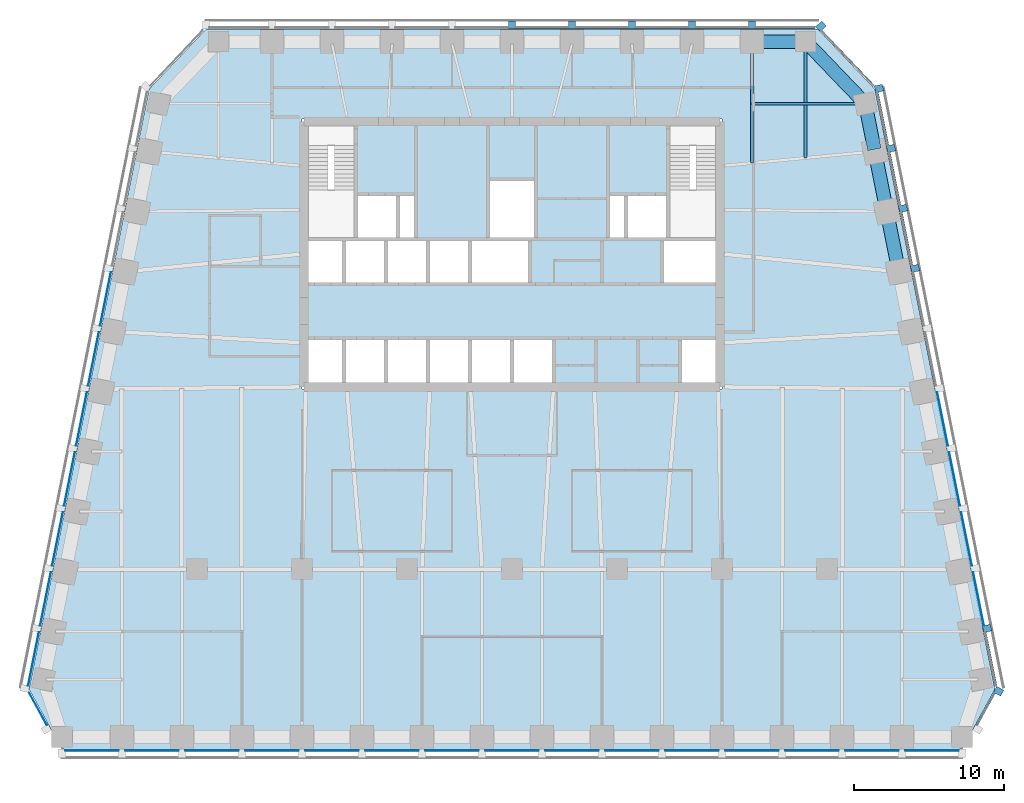
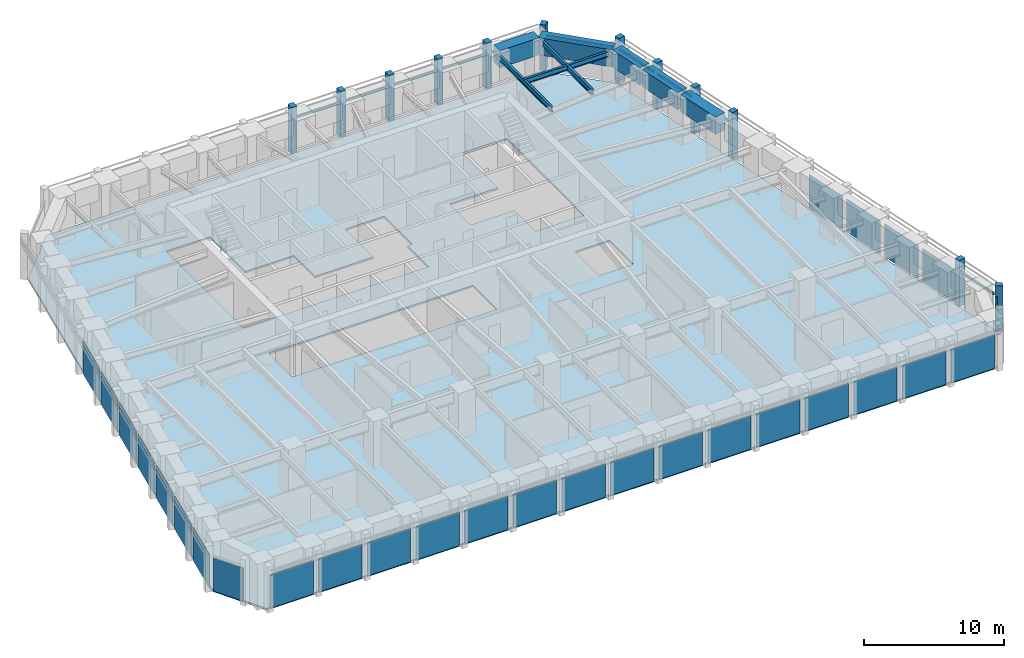
# One storey, part 4 of 10: 27 plates, 23 members, 8 beams, 1 slab, 7 elements without a shape of their own.
"""IFC4 building model written with IfcOpenShell, lengths in metres."""

from ifc_helpers import new_model, si_unit, direction, frame, origin, origin_2d, place, context, subcontext, project, spatial, polyline, rectangle, i_section, outline, extrude, material, layer, layer_set, material_profile, profile_set, type_object, element, aggregate, save


model = new_model("IFC4")

# Units and contexts
model_context = context("Model", 3, precision=1e-05, world=origin(), true_north=direction((0.0, 1.0)))
body_context = subcontext(model_context, "Body", "Model", "MODEL_VIEW")
ifc_project = project(units=[si_unit("LENGTHUNIT", "METRE"), si_unit("AREAUNIT", "SQUARE_METRE"), si_unit("VOLUMEUNIT", "CUBIC_METRE"), si_unit("PLANEANGLEUNIT", "RADIAN"), si_unit("MASSUNIT", "GRAM", prefix="KILO")], contexts=[model_context])

# Site, building, storey
site_placement = place(None, origin())
site = spatial("IfcSite", under=ifc_project, at=site_placement, CompositionType="ELEMENT")
building_placement = place(site_placement, origin())
building = spatial("IfcBuilding", under=site, at=building_placement, Name="Isbrekke Arena Tower", CompositionType="ELEMENT")
storey_placement = place(building_placement, frame((0.0, 0.0, 234.0)))
storey = spatial("IfcBuildingStorey", under=building, at=storey_placement, Name="L54", CompositionType="ELEMENT", Elevation=234.0)

# Beams
ifc_material_1 = material(Name="Steel S355", Category="steel")
ifc_material_profile_1 = material_profile(ifc_material_1, i_section(OverallWidth=0.18994140625, OverallDepth=0.449951171875, WebThickness=0.009521484375, FlangeThickness=0.0146484375, FilletRadius=0.02099609375, at=origin_2d()), Name="IPE 450")
ifc_profile_set_1 = profile_set([ifc_material_profile_1], Name="Steel S355")
beam_type_1 = type_object("IfcBeamType", Name="B2 IPE 450", PredefinedType="BEAM", material=ifc_profile_set_1)
beam_1_placement = place(storey_placement, frame((23.40283203125, 25.029296875, 3.625), z_axis=(-1.0, 0.0, 0.0), x_axis=(0.0, -1.0, 0.0)))
element("IfcBeam", 1, at=beam_1_placement, inside=storey, type_object=beam_type_1, Name="B2 beam E-E11 L54", PredefinedType="BEAM", context=body_context, shape_type="SweptSolid", body=[
    extrude(i_section(OverallWidth=0.18994140625, OverallDepth=0.449951171875, WebThickness=0.009521484375, FlangeThickness=0.0146484375, FilletRadius=0.02099609375, at=origin_2d()), origin(), (0.0, 0.0, 1.0), 7.40283203125),
])
ifc_material_2 = material(Name="Steel S355", Category="steel")
ifc_material_profile_2 = material_profile(ifc_material_2, i_section(OverallWidth=0.18994140625, OverallDepth=0.449951171875, WebThickness=0.009521484375, FlangeThickness=0.0146484375, FilletRadius=0.02099609375, at=origin_2d()), Name="IPE 450")
ifc_profile_set_2 = profile_set([ifc_material_profile_2], Name="Steel S355")
beam_type_2 = type_object("IfcBeamType", Name="B3 IPE 450", PredefinedType="BEAM", material=ifc_profile_set_2)
beam_2_placement = place(storey_placement, frame((19.574951171875, 29.02490234375, 3.625), z_axis=(0.0, -1.0, 0.0), x_axis=(1.0, 0.0, 0.0)))
element("IfcBeam", 2, at=beam_2_placement, inside=storey, type_object=beam_type_2, Name="B3 beam N-N01 L54", PredefinedType="BEAM", context=body_context, shape_type="SweptSolid", body=[
    extrude(i_section(OverallWidth=0.18994140625, OverallDepth=0.449951171875, WebThickness=0.009521484375, FlangeThickness=0.0146484375, FilletRadius=0.02099609375, at=origin_2d()), origin(), (0.0, 0.0, 1.0), 7.6103515625),
])
beam_3_placement = place(storey_placement, frame((16.0, 29.02490234375, 3.625), z_axis=(0.0, -1.0, 0.0), x_axis=(1.0, 0.0, 0.0)))
element("IfcBeam", 3, at=beam_3_placement, inside=storey, type_object=beam_type_2, Name="B3 beam N-N02 L54", PredefinedType="BEAM", context=body_context, shape_type="SweptSolid", body=[
    extrude(i_section(OverallWidth=0.18994140625, OverallDepth=0.449951171875, WebThickness=0.009521484375, FlangeThickness=0.0146484375, FilletRadius=0.02099609375, at=origin_2d()), origin(), (0.0, 0.0, 1.0), 7.949462890625),
])

# Curtain wall, member
ifc_material_3 = material(Name="Glazed aluminium curtain wall", Category="aluminium")
curtain_wall_type = type_object("IfcCurtainWallType", Name="CWH TOWER CURTAIN WALL HIGH ZONE", PredefinedType="USERDEFINED", material=ifc_material_3)
curtain_wall_1_placement = place(storey_placement, origin())
curtain_wall_1 = element("IfcCurtainWall", 4, at=curtain_wall_1_placement, inside=storey, type_object=curtain_wall_type, Name="CWH curtain wall L54-SE", ObjectType="TOWER CURTAIN WALL HIGH ZONE", PredefinedType="USERDEFINED")
ifc_material_4 = material(Name="Aluminium mullion, pale brick slip cladding", Category="masonry")
ifc_material_profile_3 = material_profile(ifc_material_4, rectangle(XDim=0.449951171875, YDim=0.550048828125, at=origin_2d()), Name="PIER 450X550")
ifc_profile_set_3 = profile_set([ifc_material_profile_3], Name="Aluminium mullion, pale brick slip cladding")
member_type_1 = type_object("IfcMemberType", Name="CWH-M PIER MULLION 450 x 550", PredefinedType="MULLION", material=ifc_profile_set_3)
member_1_placement = place(storey_placement, frame((32.44091796875, -14.132568359375, 0.0), z_axis=(0.0, 0.0, 1.0), x_axis=(0.481918749773, 0.876215908676, 0.0)))
member_1 = element("IfcMember", 5, at=member_1_placement, type_object=member_type_1, Name="CWH-M mullion 2", PredefinedType="MULLION", context=body_context, shape_type="SweptSolid", body=[
    extrude(rectangle(XDim=0.449951171875, YDim=0.550048828125, at=origin_2d()), origin(), (0.0, 0.0, 1.0), 4.0),
])

# Curtain wall, members
curtain_wall_2_placement = place(storey_placement, origin())
curtain_wall_2 = element("IfcCurtainWall", 6, at=curtain_wall_2_placement, inside=storey, type_object=curtain_wall_type, Name="CWH curtain wall L54-E", ObjectType="TOWER CURTAIN WALL HIGH ZONE", PredefinedType="USERDEFINED")
member_2_placement = place(storey_placement, frame((31.669677734375, -9.946044921875, 0.0), z_axis=(0.0, 0.0, 1.0), x_axis=(-0.196116135138, 0.980580675691, 0.0)))
member_2 = element("IfcMember", 7, at=member_2_placement, type_object=member_type_1, Name="CWH-M mullion 1", PredefinedType="MULLION", context=body_context, shape_type="SweptSolid", body=[
    extrude(rectangle(XDim=0.449951171875, YDim=0.550048828125, at=origin_2d()), origin(), (0.0, 0.0, 1.0), 4.0),
])
member_3_placement = place(storey_placement, frame((26.86962890625, 14.053955078125, 0.0), z_axis=(0.0, 0.0, 1.0), x_axis=(-0.196116135138, 0.980580675691, 0.0)))
member_3 = element("IfcMember", 8, at=member_3_placement, type_object=member_type_1, Name="CWH-M mullion 7", PredefinedType="MULLION", context=body_context, shape_type="SweptSolid", body=[
    extrude(rectangle(XDim=0.449951171875, YDim=0.550048828125, at=origin_2d()), origin(), (0.0, 0.0, 1.0), 4.0),
])
member_4_placement = place(storey_placement, frame((26.069580078125, 18.053955078125, 0.0), z_axis=(0.0, 0.0, 1.0), x_axis=(-0.196116135138, 0.980580675691, 0.0)))
member_4 = element("IfcMember", 9, at=member_4_placement, type_object=member_type_1, Name="CWH-M mullion 8", PredefinedType="MULLION", context=body_context, shape_type="SweptSolid", body=[
    extrude(rectangle(XDim=0.449951171875, YDim=0.550048828125, at=origin_2d()), origin(), (0.0, 0.0, 1.0), 4.0),
])
member_5_placement = place(storey_placement, frame((25.269775390625, 22.053955078125, 0.0), z_axis=(0.0, 0.0, 1.0), x_axis=(-0.196116135138, 0.980580675691, 0.0)))
member_5 = element("IfcMember", 10, at=member_5_placement, type_object=member_type_1, Name="CWH-M mullion 9", PredefinedType="MULLION", context=body_context, shape_type="SweptSolid", body=[
    extrude(rectangle(XDim=0.449951171875, YDim=0.550048828125, at=origin_2d()), origin(), (0.0, 0.0, 1.0), 4.0),
])
member_6_placement = place(storey_placement, frame((24.4697265625, 26.053955078125, 0.0), z_axis=(0.0, 0.0, 1.0), x_axis=(-0.196116135138, 0.980580675691, 0.0)))
member_6 = element("IfcMember", 11, at=member_6_placement, type_object=member_type_1, Name="CWH-M mullion 10", PredefinedType="MULLION", context=body_context, shape_type="SweptSolid", body=[
    extrude(rectangle(XDim=0.449951171875, YDim=0.550048828125, at=origin_2d()), origin(), (0.0, 0.0, 1.0), 4.0),
])

# Curtain wall, member
curtain_wall_3_placement = place(storey_placement, origin())
curtain_wall_3 = element("IfcCurtainWall", 12, at=curtain_wall_3_placement, inside=storey, type_object=curtain_wall_type, Name="CWH curtain wall L54-EN", ObjectType="TOWER CURTAIN WALL HIGH ZONE", PredefinedType="USERDEFINED")
member_7_placement = place(storey_placement, frame((20.599365234375, 30.189453125, 0.0), z_axis=(0.0, 0.0, 1.0), x_axis=(-0.68874946192, 0.72499943359, 0.0)))
member_7 = element("IfcMember", 13, at=member_7_placement, type_object=member_type_1, Name="CWH-M mullion 1", PredefinedType="MULLION", context=body_context, shape_type="SweptSolid", body=[
    extrude(rectangle(XDim=0.449951171875, YDim=0.550048828125, at=origin_2d()), origin(), (0.0, 0.0, 1.0), 4.0),
])

# Curtain wall, members
curtain_wall_4_placement = place(storey_placement, origin())
curtain_wall_4 = element("IfcCurtainWall", 14, at=curtain_wall_4_placement, inside=storey, type_object=curtain_wall_type, Name="CWH curtain wall L54-N", ObjectType="TOWER CURTAIN WALL HIGH ZONE", PredefinedType="USERDEFINED")
member_8_placement = place(storey_placement, frame((16.0, 30.27490234375, 0.0), z_axis=(0.0, 0.0, 1.0), x_axis=(-1.0, 0.0, 0.0)))
member_8 = element("IfcMember", 15, at=member_8_placement, type_object=member_type_1, Name="CWH-M mullion 1", PredefinedType="MULLION", context=body_context, shape_type="SweptSolid", body=[
    extrude(rectangle(XDim=0.449951171875, YDim=0.550048828125, at=origin_2d()), origin(), (0.0, 0.0, 1.0), 4.0),
])
member_9_placement = place(storey_placement, frame((12.0, 30.27490234375, 0.0), z_axis=(0.0, 0.0, 1.0), x_axis=(-1.0, 0.0, 0.0)))
member_9 = element("IfcMember", 16, at=member_9_placement, type_object=member_type_1, Name="CWH-M mullion 2", PredefinedType="MULLION", context=body_context, shape_type="SweptSolid", body=[
    extrude(rectangle(XDim=0.449951171875, YDim=0.550048828125, at=origin_2d()), origin(), (0.0, 0.0, 1.0), 4.0),
])
member_10_placement = place(storey_placement, frame((8.0, 30.27490234375, 0.0), z_axis=(0.0, 0.0, 1.0), x_axis=(-1.0, 0.0, 0.0)))
member_10 = element("IfcMember", 17, at=member_10_placement, type_object=member_type_1, Name="CWH-M mullion 3", PredefinedType="MULLION", context=body_context, shape_type="SweptSolid", body=[
    extrude(rectangle(XDim=0.449951171875, YDim=0.550048828125, at=origin_2d()), origin(), (0.0, 0.0, 1.0), 4.0),
])
member_11_placement = place(storey_placement, frame((4.0, 30.27490234375, 0.0), z_axis=(0.0, 0.0, 1.0), x_axis=(-1.0, 0.0, 0.0)))
member_11 = element("IfcMember", 18, at=member_11_placement, type_object=member_type_1, Name="CWH-M mullion 4", PredefinedType="MULLION", context=body_context, shape_type="SweptSolid", body=[
    extrude(rectangle(XDim=0.449951171875, YDim=0.550048828125, at=origin_2d()), origin(), (0.0, 0.0, 1.0), 4.0),
])
member_12_placement = place(storey_placement, frame((0.0, 30.27490234375, 0.0), z_axis=(0.0, 0.0, 1.0), x_axis=(-1.0, 0.0, 0.0)))
member_12 = element("IfcMember", 19, at=member_12_placement, type_object=member_type_1, Name="CWH-M mullion 5", PredefinedType="MULLION", context=body_context, shape_type="SweptSolid", body=[
    extrude(rectangle(XDim=0.449951171875, YDim=0.550048828125, at=origin_2d()), origin(), (0.0, 0.0, 1.0), 4.0),
])

# Member
ifc_material_5 = material(Name="Aluminium transom", Category="aluminium")
ifc_material_profile_4 = material_profile(ifc_material_5, rectangle(XDim=0.1201171875, YDim=0.199951171875, at=origin_2d()), Name="TRANSOM 120X200")
ifc_profile_set_4 = profile_set([ifc_material_profile_4], Name="Aluminium transom")
member_type_2 = type_object("IfcMemberType", Name="CWH-T TRANSOM 120 x 200", PredefinedType="USERDEFINED", material=ifc_profile_set_4)
member_13_placement = place(storey_placement, frame((31.002197265625, -16.38525390625, 3.0), z_axis=(0.481937937062, 0.876205355393, 0.0), x_axis=(-0.876205355393, 0.481937937062, 0.0)))
member_13 = element("IfcMember", 20, at=member_13_placement, type_object=member_type_2, Name="CWH-T transom 1", ObjectType="TRANSOM", PredefinedType="USERDEFINED", context=body_context, shape_type="SweptSolid", body=[
    extrude(rectangle(XDim=0.1201171875, YDim=0.199951171875, at=origin_2d()), origin(), (0.0, 0.0, 1.0), 2.442138671875),
])

aggregate(curtain_wall_1, [member_1, member_13])

member_14_placement = place(storey_placement, frame((32.25390625, -13.759765625, 3.0), z_axis=(-0.196090262229, 0.980585849918, 0.0), x_axis=(-0.980585849918, -0.196090262229, 0.0)))
member_14 = element("IfcMember", 21, at=member_14_placement, type_object=member_type_2, Name="CWH-T transom 1", ObjectType="TRANSOM", PredefinedType="USERDEFINED", context=body_context, shape_type="SweptSolid", body=[
    extrude(rectangle(XDim=0.1201171875, YDim=0.199951171875, at=origin_2d()), origin(), (0.0, 0.0, 1.0), 3.62939453125),
])

member_15_placement = place(storey_placement, frame((26.654052734375, 14.240234375, 3.0), z_axis=(-0.196154943734, 0.980572913173, 0.0), x_axis=(-0.980572913173, -0.196154943734, 0.0)))
member_15 = element("IfcMember", 22, at=member_15_placement, type_object=member_type_2, Name="CWH-T transom 8", ObjectType="TRANSOM", PredefinedType="USERDEFINED", context=body_context, shape_type="SweptSolid", body=[
    extrude(rectangle(XDim=0.1201171875, YDim=0.199951171875, at=origin_2d()), origin(), (0.0, 0.0, 1.0), 3.62939453125),
])

member_16_placement = place(storey_placement, frame((25.85400390625, 18.240234375, 3.0), z_axis=(-0.196154943734, 0.980572913173, 0.0), x_axis=(-0.980572913173, -0.196154943734, 0.0)))
member_16 = element("IfcMember", 23, at=member_16_placement, type_object=member_type_2, Name="CWH-T transom 9", ObjectType="TRANSOM", PredefinedType="USERDEFINED", context=body_context, shape_type="SweptSolid", body=[
    extrude(rectangle(XDim=0.1201171875, YDim=0.199951171875, at=origin_2d()), origin(), (0.0, 0.0, 1.0), 3.62939453125),
])

member_17_placement = place(storey_placement, frame((25.053955078125, 22.240234375, 3.0), z_axis=(-0.196090262229, 0.980585849918, 0.0), x_axis=(-0.980585849918, -0.196090262229, 0.0)))
member_17 = element("IfcMember", 24, at=member_17_placement, type_object=member_type_2, Name="CWH-T transom 10", ObjectType="TRANSOM", PredefinedType="USERDEFINED", context=body_context, shape_type="SweptSolid", body=[
    extrude(rectangle(XDim=0.1201171875, YDim=0.199951171875, at=origin_2d()), origin(), (0.0, 0.0, 1.0), 3.62939453125),
])

member_18_placement = place(storey_placement, frame((24.117431640625, 26.23193359375, 3.0), z_axis=(-0.688734266994, 0.725013868466, 0.0), x_axis=(-0.725013868466, -0.688734266994, 0.0)))
member_18 = element("IfcMember", 25, at=member_18_placement, type_object=member_type_2, Name="CWH-T transom 1", ObjectType="TRANSOM", PredefinedType="USERDEFINED", context=body_context, shape_type="SweptSolid", body=[
    extrude(rectangle(XDim=0.1201171875, YDim=0.199951171875, at=origin_2d()), origin(), (0.0, 0.0, 1.0), 5.067138671875),
])

aggregate(curtain_wall_3, [member_7, member_18])

member_19_placement = place(storey_placement, frame((20.175048828125, 30.10009765625, 3.0), z_axis=(-1.0, 0.0, 0.0), x_axis=(0.0, -1.0, 0.0)))
member_19 = element("IfcMember", 26, at=member_19_placement, type_object=member_type_2, Name="CWH-T transom 1", ObjectType="TRANSOM", PredefinedType="USERDEFINED", context=body_context, shape_type="SweptSolid", body=[
    extrude(rectangle(XDim=0.1201171875, YDim=0.199951171875, at=origin_2d()), origin(), (0.0, 0.0, 1.0), 3.949951171875),
])

member_20_placement = place(storey_placement, frame((15.77490234375, 30.10009765625, 3.0), z_axis=(-1.0, 0.0, 0.0), x_axis=(0.0, -1.0, 0.0)))
member_20 = element("IfcMember", 27, at=member_20_placement, type_object=member_type_2, Name="CWH-T transom 2", ObjectType="TRANSOM", PredefinedType="USERDEFINED", context=body_context, shape_type="SweptSolid", body=[
    extrude(rectangle(XDim=0.1201171875, YDim=0.199951171875, at=origin_2d()), origin(), (0.0, 0.0, 1.0), 3.5498046875),
])

member_21_placement = place(storey_placement, frame((11.77490234375, 30.10009765625, 3.0), z_axis=(-1.0, 0.0, 0.0), x_axis=(0.0, -1.0, 0.0)))
member_21 = element("IfcMember", 28, at=member_21_placement, type_object=member_type_2, Name="CWH-T transom 3", ObjectType="TRANSOM", PredefinedType="USERDEFINED", context=body_context, shape_type="SweptSolid", body=[
    extrude(rectangle(XDim=0.1201171875, YDim=0.199951171875, at=origin_2d()), origin(), (0.0, 0.0, 1.0), 3.5498046875),
])

member_22_placement = place(storey_placement, frame((7.77490234375, 30.10009765625, 3.0), z_axis=(-1.0, 0.0, 0.0), x_axis=(0.0, -1.0, 0.0)))
member_22 = element("IfcMember", 29, at=member_22_placement, type_object=member_type_2, Name="CWH-T transom 4", ObjectType="TRANSOM", PredefinedType="USERDEFINED", context=body_context, shape_type="SweptSolid", body=[
    extrude(rectangle(XDim=0.1201171875, YDim=0.199951171875, at=origin_2d()), origin(), (0.0, 0.0, 1.0), 3.5498046875),
])

member_23_placement = place(storey_placement, frame((3.77490234375, 30.10009765625, 3.0), z_axis=(-1.0, 0.0, 0.0), x_axis=(0.0, -1.0, 0.0)))
member_23 = element("IfcMember", 30, at=member_23_placement, type_object=member_type_2, Name="CWH-T transom 5", ObjectType="TRANSOM", PredefinedType="USERDEFINED", context=body_context, shape_type="SweptSolid", body=[
    extrude(rectangle(XDim=0.1201171875, YDim=0.199951171875, at=origin_2d()), origin(), (0.0, 0.0, 1.0), 3.5498046875),
])

aggregate(curtain_wall_4, [member_8, member_9, member_10, member_11, member_12, member_19, member_20, member_21, member_22, member_23])

# Beams
ifc_material_6 = material(Name="Concrete B65 (C65/80)", Category="concrete")
ifc_material_profile_5 = material_profile(ifc_material_6, rectangle(XDim=0.89990234375, YDim=1.5, at=origin_2d()), Name="RC 900x1500")
ifc_profile_set_5 = profile_set([ifc_material_profile_5], Name="Concrete B65 (C65/80)")
beam_type_3 = type_object("IfcBeamType", Name="SB3 RC 900 x 1500", PredefinedType="SPANDREL", material=ifc_profile_set_5)
for number, where, z_axis, x_axis, name in (
    (31, (25.76171875, 13.9853515625, 3.25), (-0.196128558387, 0.980578190959, 0.0), (-0.980578190959, -0.196128558387, 0.0), "SB3 spandrel E08-E09 L54"),
    (32, (24.961669921875, 17.9853515625, 3.25), (-0.196128558387, 0.980578190959, 0.0), (-0.980578190959, -0.196128558387, 0.0), "SB3 spandrel E09-E10 L54"),
):
    element("IfcBeam", number, at=place(storey_placement, frame(where, z_axis=z_axis, x_axis=x_axis)), inside=storey, type_object=beam_type_3, Name=name, PredefinedType="SPANDREL", context=body_context, shape_type="SweptSolid", body=[
        extrude(rectangle(XDim=0.89990234375, YDim=1.5, at=origin_2d()), origin(), (0.0, 0.0, 1.0), 3.779296875),
    ])
beam_4_placement = place(storey_placement, frame((24.16162109375, 21.9853515625, 3.25), z_axis=(-0.196116135138, 0.980580675691, 0.0), x_axis=(-0.980580675691, -0.196116135138, 0.0)))
element("IfcBeam", 33, at=beam_4_placement, inside=storey, type_object=beam_type_3, Name="SB3 spandrel E10-E11 L54", PredefinedType="SPANDREL", context=body_context, shape_type="SweptSolid", body=[
    extrude(rectangle(XDim=0.89990234375, YDim=1.5, at=origin_2d()), origin(), (0.0, 0.0, 1.0), 2.9541015625),
])
beam_5_placement = place(storey_placement, frame((23.448974609375, 25.137451171875, 3.25), z_axis=(-0.692339547635, 0.721571861134, 0.0), x_axis=(-0.721571861134, -0.692339547635, 0.0)))
element("IfcBeam", 34, at=beam_5_placement, inside=storey, type_object=beam_type_3, Name="SB3 spandrel E11-N01 L54", PredefinedType="SPANDREL", context=body_context, shape_type="SweptSolid", body=[
    extrude(rectangle(XDim=0.89990234375, YDim=1.5, at=origin_2d()), origin(), (0.0, 0.0, 1.0), 5.4453125),
])
beam_6_placement = place(storey_placement, frame((19.425048828125, 29.175048828125, 3.25), z_axis=(-1.0, 0.0, 0.0), x_axis=(0.0, -1.0, 0.0)))
element("IfcBeam", 35, at=beam_6_placement, inside=storey, type_object=beam_type_3, Name="SB3 spandrel N01-N02 L54", PredefinedType="SPANDREL", context=body_context, shape_type="SweptSolid", body=[
    extrude(rectangle(XDim=0.89990234375, YDim=1.5, at=origin_2d()), origin(), (0.0, 0.0, 1.0), 3.275146484375),
])

# Curtain wall, plates
curtain_wall_5_placement = place(storey_placement, origin())
curtain_wall_5 = element("IfcCurtainWall", 36, at=curtain_wall_5_placement, inside=storey, type_object=curtain_wall_type, Name="CWH curtain wall L54-S", ObjectType="TOWER CURTAIN WALL HIGH ZONE", PredefinedType="USERDEFINED")
ifc_material_7 = material(Name="Triple-glazed clear glass unit", Category="glass")
ifc_layer_1 = layer(ifc_material_7, 0.031982421875)
ifc_layer_set_1 = layer_set([ifc_layer_1], Name="CWH-P VISION PANEL")
plate_type = type_object("IfcPlateType", Name="CWH-P VISION PANEL", PredefinedType="CURTAIN_PANEL", material=ifc_layer_set_1)
plate_1_placement = place(storey_placement, frame((-28.0, -18.10009765625, 0.02001953125), z_axis=(0.0, 0.0, 1.0), x_axis=(1.0, 0.0, 0.0)))
plate_1 = element("IfcPlate", 37, at=plate_1_placement, type_object=plate_type, Name="CWH-P panel 1", PredefinedType="CURTAIN_PANEL", context=body_context, shape_type="SweptSolid", body=[
    extrude(rectangle(XDim=3.550048828125, YDim=0.031982421875, at=origin_2d()), origin(), (0.0, 0.0, 1.0), 2.8798828125),
])
plate_2_placement = place(storey_placement, frame((-24.0, -18.10009765625, 0.02001953125), z_axis=(0.0, 0.0, 1.0), x_axis=(1.0, 0.0, 0.0)))
plate_2 = element("IfcPlate", 38, at=plate_2_placement, type_object=plate_type, Name="CWH-P panel 2", PredefinedType="CURTAIN_PANEL", context=body_context, shape_type="SweptSolid", body=[
    extrude(rectangle(XDim=3.550048828125, YDim=0.031982421875, at=origin_2d()), origin(), (0.0, 0.0, 1.0), 2.8798828125),
])
plate_3_placement = place(storey_placement, frame((-20.0, -18.10009765625, 0.02001953125), z_axis=(0.0, 0.0, 1.0), x_axis=(1.0, 0.0, 0.0)))
plate_3 = element("IfcPlate", 39, at=plate_3_placement, type_object=plate_type, Name="CWH-P panel 3", PredefinedType="CURTAIN_PANEL", context=body_context, shape_type="SweptSolid", body=[
    extrude(rectangle(XDim=3.550048828125, YDim=0.031982421875, at=origin_2d()), origin(), (0.0, 0.0, 1.0), 2.8798828125),
])
plate_4_placement = place(storey_placement, frame((-16.0, -18.10009765625, 0.02001953125), z_axis=(0.0, 0.0, 1.0), x_axis=(1.0, 0.0, 0.0)))
plate_4 = element("IfcPlate", 40, at=plate_4_placement, type_object=plate_type, Name="CWH-P panel 4", PredefinedType="CURTAIN_PANEL", context=body_context, shape_type="SweptSolid", body=[
    extrude(rectangle(XDim=3.550048828125, YDim=0.031982421875, at=origin_2d()), origin(), (0.0, 0.0, 1.0), 2.8798828125),
])
plate_5_placement = place(storey_placement, frame((-12.0, -18.10009765625, 0.02001953125), z_axis=(0.0, 0.0, 1.0), x_axis=(1.0, 0.0, 0.0)))
plate_5 = element("IfcPlate", 41, at=plate_5_placement, type_object=plate_type, Name="CWH-P panel 5", PredefinedType="CURTAIN_PANEL", context=body_context, shape_type="SweptSolid", body=[
    extrude(rectangle(XDim=3.550048828125, YDim=0.031982421875, at=origin_2d()), origin(), (0.0, 0.0, 1.0), 2.8798828125),
])
plate_6_placement = place(storey_placement, frame((-8.0, -18.10009765625, 0.02001953125), z_axis=(0.0, 0.0, 1.0), x_axis=(1.0, 0.0, 0.0)))
plate_6 = element("IfcPlate", 42, at=plate_6_placement, type_object=plate_type, Name="CWH-P panel 6", PredefinedType="CURTAIN_PANEL", context=body_context, shape_type="SweptSolid", body=[
    extrude(rectangle(XDim=3.550048828125, YDim=0.031982421875, at=origin_2d()), origin(), (0.0, 0.0, 1.0), 2.8798828125),
])
plate_7_placement = place(storey_placement, frame((-4.0, -18.10009765625, 0.02001953125), z_axis=(0.0, 0.0, 1.0), x_axis=(1.0, 0.0, 0.0)))
plate_7 = element("IfcPlate", 43, at=plate_7_placement, type_object=plate_type, Name="CWH-P panel 7", PredefinedType="CURTAIN_PANEL", context=body_context, shape_type="SweptSolid", body=[
    extrude(rectangle(XDim=3.550048828125, YDim=0.031982421875, at=origin_2d()), origin(), (0.0, 0.0, 1.0), 2.8798828125),
])
plate_8_placement = place(storey_placement, frame((0.0, -18.10009765625, 0.02001953125), z_axis=(0.0, 0.0, 1.0), x_axis=(1.0, 0.0, 0.0)))
plate_8 = element("IfcPlate", 44, at=plate_8_placement, type_object=plate_type, Name="CWH-P panel 8", PredefinedType="CURTAIN_PANEL", context=body_context, shape_type="SweptSolid", body=[
    extrude(rectangle(XDim=3.550048828125, YDim=0.031982421875, at=origin_2d()), origin(), (0.0, 0.0, 1.0), 2.8798828125),
])
plate_9_placement = place(storey_placement, frame((4.0, -18.10009765625, 0.02001953125), z_axis=(0.0, 0.0, 1.0), x_axis=(1.0, 0.0, 0.0)))
plate_9 = element("IfcPlate", 45, at=plate_9_placement, type_object=plate_type, Name="CWH-P panel 9", PredefinedType="CURTAIN_PANEL", context=body_context, shape_type="SweptSolid", body=[
    extrude(rectangle(XDim=3.550048828125, YDim=0.031982421875, at=origin_2d()), origin(), (0.0, 0.0, 1.0), 2.8798828125),
])
plate_10_placement = place(storey_placement, frame((8.0, -18.10009765625, 0.02001953125), z_axis=(0.0, 0.0, 1.0), x_axis=(1.0, 0.0, 0.0)))
plate_10 = element("IfcPlate", 46, at=plate_10_placement, type_object=plate_type, Name="CWH-P panel 10", PredefinedType="CURTAIN_PANEL", context=body_context, shape_type="SweptSolid", body=[
    extrude(rectangle(XDim=3.550048828125, YDim=0.031982421875, at=origin_2d()), origin(), (0.0, 0.0, 1.0), 2.8798828125),
])
plate_11_placement = place(storey_placement, frame((12.0, -18.10009765625, 0.02001953125), z_axis=(0.0, 0.0, 1.0), x_axis=(1.0, 0.0, 0.0)))
plate_11 = element("IfcPlate", 47, at=plate_11_placement, type_object=plate_type, Name="CWH-P panel 11", PredefinedType="CURTAIN_PANEL", context=body_context, shape_type="SweptSolid", body=[
    extrude(rectangle(XDim=3.550048828125, YDim=0.031982421875, at=origin_2d()), origin(), (0.0, 0.0, 1.0), 2.8798828125),
])
plate_12_placement = place(storey_placement, frame((16.0, -18.10009765625, 0.02001953125), z_axis=(0.0, 0.0, 1.0), x_axis=(1.0, 0.0, 0.0)))
plate_12 = element("IfcPlate", 48, at=plate_12_placement, type_object=plate_type, Name="CWH-P panel 12", PredefinedType="CURTAIN_PANEL", context=body_context, shape_type="SweptSolid", body=[
    extrude(rectangle(XDim=3.550048828125, YDim=0.031982421875, at=origin_2d()), origin(), (0.0, 0.0, 1.0), 2.8798828125),
])
plate_13_placement = place(storey_placement, frame((20.0, -18.10009765625, 0.02001953125), z_axis=(0.0, 0.0, 1.0), x_axis=(1.0, 0.0, 0.0)))
plate_13 = element("IfcPlate", 49, at=plate_13_placement, type_object=plate_type, Name="CWH-P panel 13", PredefinedType="CURTAIN_PANEL", context=body_context, shape_type="SweptSolid", body=[
    extrude(rectangle(XDim=3.550048828125, YDim=0.031982421875, at=origin_2d()), origin(), (0.0, 0.0, 1.0), 2.8798828125),
])
plate_14_placement = place(storey_placement, frame((24.0, -18.10009765625, 0.02001953125), z_axis=(0.0, 0.0, 1.0), x_axis=(1.0, 0.0, 0.0)))
plate_14 = element("IfcPlate", 50, at=plate_14_placement, type_object=plate_type, Name="CWH-P panel 14", PredefinedType="CURTAIN_PANEL", context=body_context, shape_type="SweptSolid", body=[
    extrude(rectangle(XDim=3.550048828125, YDim=0.031982421875, at=origin_2d()), origin(), (0.0, 0.0, 1.0), 2.8798828125),
])
plate_15_placement = place(storey_placement, frame((28.0, -18.10009765625, 0.02001953125), z_axis=(0.0, 0.0, 1.0), x_axis=(1.0, 0.0, 0.0)))
plate_15 = element("IfcPlate", 51, at=plate_15_placement, type_object=plate_type, Name="CWH-P panel 15", PredefinedType="CURTAIN_PANEL", context=body_context, shape_type="SweptSolid", body=[
    extrude(rectangle(XDim=3.550048828125, YDim=0.031982421875, at=origin_2d()), origin(), (0.0, 0.0, 1.0), 2.8798828125),
])
aggregate(curtain_wall_5, [plate_1, plate_2, plate_3, plate_4, plate_5, plate_6, plate_7, plate_8, plate_9, plate_10, plate_11, plate_12, plate_13, plate_14, plate_15])

# Plate
plate_16_placement = place(storey_placement, frame((31.09814453125, -7.98046875, 0.02001953125), z_axis=(0.0, 0.0, 1.0), x_axis=(-0.196116135138, 0.980580675691, 0.0)))
plate_16 = element("IfcPlate", 52, at=plate_16_placement, type_object=plate_type, Name="CWH-P panel 2", PredefinedType="CURTAIN_PANEL", context=body_context, shape_type="SweptSolid", body=[
    extrude(rectangle(XDim=3.629150390625, YDim=0.031982421875, at=origin_2d()), origin(), (0.0, 0.0, 1.0), 2.8798828125),
])

plate_17_placement = place(storey_placement, frame((30.298095703125, -3.98046875, 0.02001953125), z_axis=(0.0, 0.0, 1.0), x_axis=(-0.196116135138, 0.980580675691, 0.0)))
plate_17 = element("IfcPlate", 53, at=plate_17_placement, type_object=plate_type, Name="CWH-P panel 3", PredefinedType="CURTAIN_PANEL", context=body_context, shape_type="SweptSolid", body=[
    extrude(rectangle(XDim=3.629150390625, YDim=0.031982421875, at=origin_2d()), origin(), (0.0, 0.0, 1.0), 2.8798828125),
])

plate_18_placement = place(storey_placement, frame((29.498046875, 0.01953125, 0.02001953125), z_axis=(0.0, 0.0, 1.0), x_axis=(-0.196116135138, 0.980580675691, 0.0)))
plate_18 = element("IfcPlate", 54, at=plate_18_placement, type_object=plate_type, Name="CWH-P panel 4", PredefinedType="CURTAIN_PANEL", context=body_context, shape_type="SweptSolid", body=[
    extrude(rectangle(XDim=3.629150390625, YDim=0.031982421875, at=origin_2d()), origin(), (0.0, 0.0, 1.0), 2.8798828125),
])

plate_19_placement = place(storey_placement, frame((28.697998046875, 4.01953125, 0.02001953125), z_axis=(0.0, 0.0, 1.0), x_axis=(-0.196116135138, 0.980580675691, 0.0)))
plate_19 = element("IfcPlate", 55, at=plate_19_placement, type_object=plate_type, Name="CWH-P panel 5", PredefinedType="CURTAIN_PANEL", context=body_context, shape_type="SweptSolid", body=[
    extrude(rectangle(XDim=3.629150390625, YDim=0.031982421875, at=origin_2d()), origin(), (0.0, 0.0, 1.0), 2.8798828125),
])

aggregate(curtain_wall_2, [member_2, member_3, member_4, member_5, member_6, member_14, plate_16, plate_17, plate_18, plate_19, member_15, member_16, member_17])

# Curtain wall, plates
curtain_wall_6_placement = place(storey_placement, origin())
curtain_wall_6 = element("IfcCurtainWall", 56, at=curtain_wall_6_placement, inside=storey, type_object=curtain_wall_type, Name="CWH curtain wall L54-W", ObjectType="TOWER CURTAIN WALL HIGH ZONE", PredefinedType="USERDEFINED")
plate_20_placement = place(storey_placement, frame((-27.09814453125, 12.01953125, 0.02001953125), z_axis=(0.0, 0.0, 1.0), x_axis=(-0.196116135138, -0.980580675691, 0.0)))
plate_20 = element("IfcPlate", 57, at=plate_20_placement, type_object=plate_type, Name="CWH-P panel 4", PredefinedType="CURTAIN_PANEL", context=body_context, shape_type="SweptSolid", body=[
    extrude(rectangle(XDim=3.629150390625, YDim=0.031982421875, at=origin_2d()), origin(), (0.0, 0.0, 1.0), 2.8798828125),
])
plate_21_placement = place(storey_placement, frame((-27.89794921875, 8.01953125, 0.02001953125), z_axis=(0.0, 0.0, 1.0), x_axis=(-0.196116135138, -0.980580675691, 0.0)))
plate_21 = element("IfcPlate", 58, at=plate_21_placement, type_object=plate_type, Name="CWH-P panel 5", PredefinedType="CURTAIN_PANEL", context=body_context, shape_type="SweptSolid", body=[
    extrude(rectangle(XDim=3.629150390625, YDim=0.031982421875, at=origin_2d()), origin(), (0.0, 0.0, 1.0), 2.8798828125),
])
plate_22_placement = place(storey_placement, frame((-28.697998046875, 4.01953125, 0.02001953125), z_axis=(0.0, 0.0, 1.0), x_axis=(-0.196116135138, -0.980580675691, 0.0)))
plate_22 = element("IfcPlate", 59, at=plate_22_placement, type_object=plate_type, Name="CWH-P panel 6", PredefinedType="CURTAIN_PANEL", context=body_context, shape_type="SweptSolid", body=[
    extrude(rectangle(XDim=3.629150390625, YDim=0.031982421875, at=origin_2d()), origin(), (0.0, 0.0, 1.0), 2.8798828125),
])
plate_23_placement = place(storey_placement, frame((-29.498046875, 0.01953125, 0.02001953125), z_axis=(0.0, 0.0, 1.0), x_axis=(-0.196116135138, -0.980580675691, 0.0)))
plate_23 = element("IfcPlate", 60, at=plate_23_placement, type_object=plate_type, Name="CWH-P panel 7", PredefinedType="CURTAIN_PANEL", context=body_context, shape_type="SweptSolid", body=[
    extrude(rectangle(XDim=3.629150390625, YDim=0.031982421875, at=origin_2d()), origin(), (0.0, 0.0, 1.0), 2.8798828125),
])
plate_24_placement = place(storey_placement, frame((-30.298095703125, -3.98046875, 0.02001953125), z_axis=(0.0, 0.0, 1.0), x_axis=(-0.196116135138, -0.980580675691, 0.0)))
plate_24 = element("IfcPlate", 61, at=plate_24_placement, type_object=plate_type, Name="CWH-P panel 8", PredefinedType="CURTAIN_PANEL", context=body_context, shape_type="SweptSolid", body=[
    extrude(rectangle(XDim=3.629150390625, YDim=0.031982421875, at=origin_2d()), origin(), (0.0, 0.0, 1.0), 2.8798828125),
])
plate_25_placement = place(storey_placement, frame((-31.09814453125, -7.98046875, 0.02001953125), z_axis=(0.0, 0.0, 1.0), x_axis=(-0.196116135138, -0.980580675691, 0.0)))
plate_25 = element("IfcPlate", 62, at=plate_25_placement, type_object=plate_type, Name="CWH-P panel 9", PredefinedType="CURTAIN_PANEL", context=body_context, shape_type="SweptSolid", body=[
    extrude(rectangle(XDim=3.629150390625, YDim=0.031982421875, at=origin_2d()), origin(), (0.0, 0.0, 1.0), 2.8798828125),
])
plate_26_placement = place(storey_placement, frame((-31.89794921875, -11.98046875, 0.02001953125), z_axis=(0.0, 0.0, 1.0), x_axis=(-0.196116135138, -0.980580675691, 0.0)))
plate_26 = element("IfcPlate", 63, at=plate_26_placement, type_object=plate_type, Name="CWH-P panel 10", PredefinedType="CURTAIN_PANEL", context=body_context, shape_type="SweptSolid", body=[
    extrude(rectangle(XDim=3.629150390625, YDim=0.031982421875, at=origin_2d()), origin(), (0.0, 0.0, 1.0), 2.8798828125),
])
aggregate(curtain_wall_6, [plate_20, plate_21, plate_22, plate_23, plate_24, plate_25, plate_26])

# Curtain wall, plate
curtain_wall_7_placement = place(storey_placement, origin())
curtain_wall_7 = element("IfcCurtainWall", 64, at=curtain_wall_7_placement, inside=storey, type_object=curtain_wall_type, Name="CWH curtain wall L54-WS", ObjectType="TOWER CURTAIN WALL HIGH ZONE", PredefinedType="USERDEFINED")
plate_27_placement = place(storey_placement, frame((-31.59033203125, -15.31591796875, 0.02001953125), z_axis=(0.0, 0.0, 1.0), x_axis=(0.481918749773, -0.876215908676, 0.0)))
plate_27 = element("IfcPlate", 65, at=plate_27_placement, type_object=plate_type, Name="CWH-P panel 1", PredefinedType="CURTAIN_PANEL", context=body_context, shape_type="SweptSolid", body=[
    extrude(rectangle(XDim=2.443603515625, YDim=0.031982421875, at=origin_2d()), origin(), (0.0, 0.0, 1.0), 2.8798828125),
])
aggregate(curtain_wall_7, [plate_27])

# Slab
ifc_material_8 = material(Name="Concrete B35 (C35/45)", Category="concrete")
ifc_layer_2 = layer(ifc_material_8, 0.14990234375)
ifc_layer_set_2 = layer_set([ifc_layer_2], Name="FS1 COMPOSITE FLOOR 150")
slab_type = type_object("IfcSlabType", Name="FS1 COMPOSITE FLOOR 150", PredefinedType="FLOOR", material=ifc_layer_set_2)
slab_placement = place(storey_placement, frame((0.0, 0.0, -0.14990234375)))
element("IfcSlab", 66, at=slab_placement, inside=storey, type_object=slab_type, Name="FS1 floor slab L54", PredefinedType="FLOOR", context=body_context, shape_type="SweptSolid", body=[
    extrude(outline(polyline([(-30.0, -18.0), (30.0, -18.0), (32.199951171875, -14.0), (24.199951171875, 26.0), (20.39990234375, 30.0), (-20.39990234375, 30.0), (-24.199951171875, 26.0), (-32.199951171875, -14.0), (-30.0, -18.0)]), holes=[polyline([(2.800048828125, 9.39990234375), (2.800048828125, 6.0), (-14.0, 6.0), (-14.0, 9.39990234375), (2.800048828125, 9.39990234375)]), polyline([(11.199951171875, 6.0), (11.199951171875, 9.39990234375), (14.0, 9.39990234375), (14.0, 6.0), (11.199951171875, 6.0)]), polyline([(-14.0, 13.0), (-14.0, 24.0), (-10.39990234375, 24.0), (-10.39990234375, 19.0), (-6.39990234375, 19.0), (-6.39990234375, 16.0), (-1.60009765625, 16.0), (-1.60009765625, 20.0), (1.60009765625, 20.0), (1.60009765625, 16.0), (1.199951171875, 16.0), (1.199951171875, 13.0), (-14.0, 13.0)]), polyline([(10.0, 13.0), (10.0, 16.0), (6.39990234375, 16.0), (6.39990234375, 19.0), (10.39990234375, 19.0), (10.39990234375, 24.0), (14.0, 24.0), (14.0, 13.0), (10.0, 13.0)])]), origin(), (0.0, 0.0, 1.0), 0.14990234375),
])

save(model, "model.ifc")
